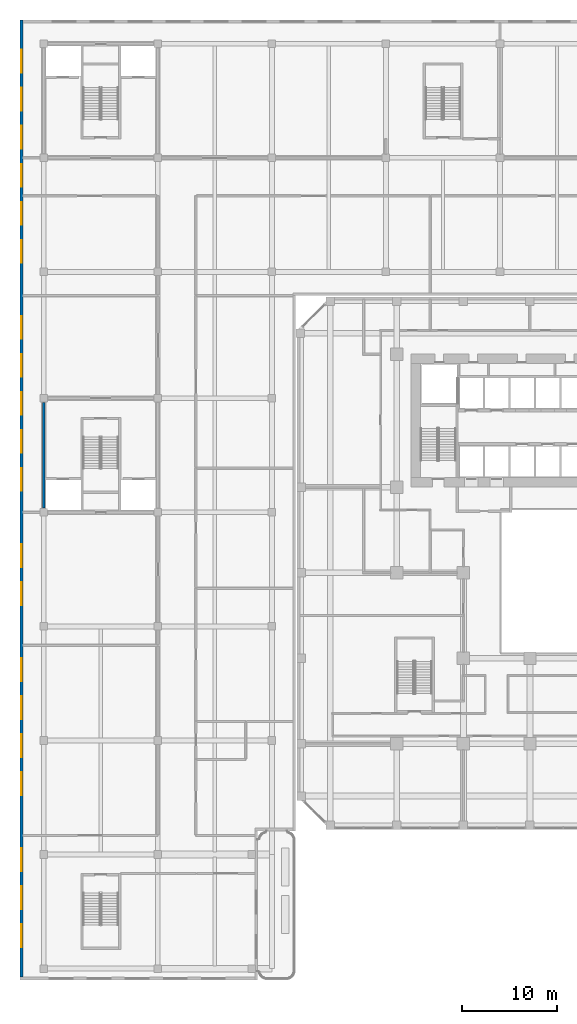
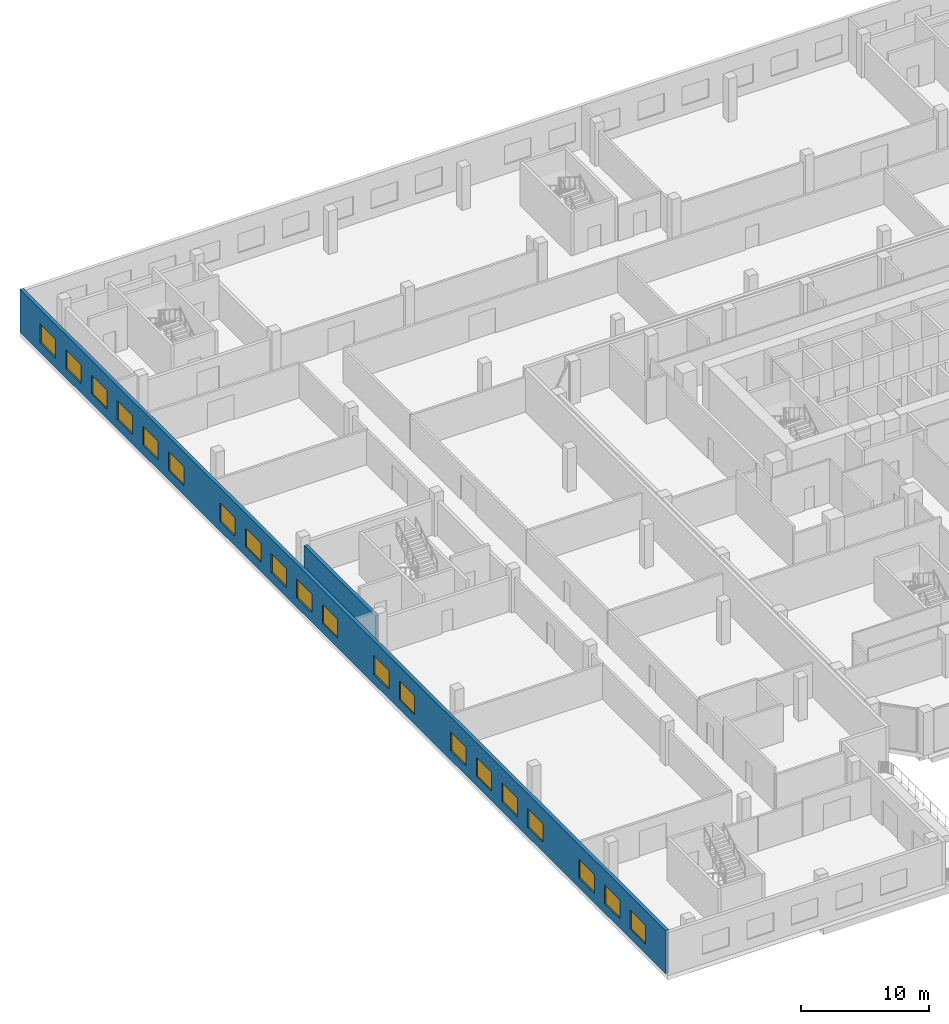
# One storey, part 16 of 35: 20 windows, 2 walls, 20 openings.
"""IFC4 building model written with IfcOpenShell, lengths in metres."""

from ifc_helpers import new_model, si_unit, direction, frame, frame_2d, origin, place, context, subcontext, project, spatial, rectangle, extrude, source, transform, mapped, material, layer, layer_set, type_object, element, fill, save


model = new_model("IFC4")

# Units and contexts
model_context = context("Model", 3, precision=1e-05, world=origin(), true_north=direction((0.0, 1.0)))
body_context = subcontext(model_context, "Body", "Model", "MODEL_VIEW")
ifc_project = project(units=[si_unit("LENGTHUNIT", "METRE"), si_unit("AREAUNIT", "SQUARE_METRE"), si_unit("VOLUMEUNIT", "CUBIC_METRE"), si_unit("PLANEANGLEUNIT", "RADIAN"), si_unit("MASSUNIT", "GRAM", prefix="KILO")], contexts=[model_context])

# Site, building, storey
site_placement = place(None, origin())
site = spatial("IfcSite", under=ifc_project, at=site_placement, CompositionType="ELEMENT")
building_placement = place(site_placement, origin())
building = spatial("IfcBuilding", under=site, at=building_placement, Name="Kilnfold Tower and Market Hall", CompositionType="ELEMENT")
storey_placement = place(building_placement, frame((0.0, 0.0, 13.5)))
storey = spatial("IfcBuildingStorey", under=building, at=storey_placement, Name="L02", CompositionType="ELEMENT", Elevation=13.5)

# Wall
ifc_material_1 = material(Name="Concrete C50/60", Category="concrete")
ifc_layer_1 = layer(ifc_material_1, 0.300048828125)
ifc_layer_set_1 = layer_set([ifc_layer_1], Name="Concrete C50/60")
wall_type_1 = type_object("IfcWallType", Name="HALL CORE WALL 300", PredefinedType="SHEAR", material=ifc_layer_set_1)
shared_shape_1 = source(origin(), body_context, "Body", "SweptSolid", [
    extrude(rectangle(XDim=11.099853515625, YDim=0.300048828125, at=frame_2d((5.5498046875, 0.0))), origin(), (0.0, 0.0, 1.0), 3.300048828125),
])
wall_1_placement = place(storey_placement, frame((-54.64990234375, 5.800048828125, 0.0), z_axis=(0.0, 0.0, 1.0), x_axis=(0.0, 1.0, 0.0)))
element("IfcWall", 1, at=wall_1_placement, inside=storey, type_object=wall_type_1, Name="Core wall MH1", PredefinedType="SHEAR", context=body_context, shape_type="MappedRepresentation", body=[
    mapped(shared_shape_1, transform((0.0, 0.0, 0.0))),
])

# Wall, openings, windows
ifc_material_2 = material(Name="Concrete blockwork", Category="masonry")
ifc_layer_2 = layer(ifc_material_2, 0.300048828125)
ifc_layer_set_2 = layer_set([ifc_layer_2], Name="Concrete blockwork")
wall_type_2 = type_object("IfcWallType", Name="HALL EXTERNAL WALL 300 EI 60", PredefinedType="SOLIDWALL", material=ifc_layer_set_2)
shared_shape_2 = source(origin(), body_context, "Body", "SweptSolid", [
    extrude(rectangle(XDim=100.699951171875, YDim=0.300048828125, at=frame_2d((50.35009765625, 0.0))), origin(), (0.0, 0.0, 1.0), 4.10009765625),
])
wall_2_placement = place(storey_placement, frame((-57.0, -43.550048828125, 0.0), z_axis=(0.0, 0.0, 1.0), x_axis=(0.0, 1.0, 0.0)))
wall_2 = element("IfcWall", 2, at=wall_2_placement, inside=storey, type_object=wall_type_2, Name="External wall MEW-L02.1", PredefinedType="SOLIDWALL", context=body_context, shape_type="MappedRepresentation", body=[
    mapped(shared_shape_2, transform((0.0, 0.0, 0.0))),
])
opening_1_placement = place(wall_2_placement, frame((3.14990234375, 0.0, 0.89990234375)))
opening_1 = element("IfcOpeningElement", 3, at=opening_1_placement, cuts=wall_2, Name="Opening MEN3", PredefinedType="OPENING", context=body_context, shape_type="SweptSolid", body=[
    extrude(rectangle(XDim=2.39990234375, YDim=1.800048828125, at=frame_2d((1.199951171875, 0.89990234375))), frame((0.0, 0.16015625, 0.0), z_axis=(0.0, -1.0, 0.0), x_axis=(1.0, 0.0, 0.0)), (0.0, 0.0, 1.0), 0.320068359375),
])
opening_2_placement = place(wall_2_placement, frame((7.14990234375, 0.0, 0.89990234375)))
opening_2 = element("IfcOpeningElement", 4, at=opening_2_placement, cuts=wall_2, Name="Opening MEN3", PredefinedType="OPENING", context=body_context, shape_type="SweptSolid", body=[
    extrude(rectangle(XDim=2.39990234375, YDim=1.800048828125, at=frame_2d((1.199951171875, 0.89990234375))), frame((0.0, 0.16015625, 0.0), z_axis=(0.0, -1.0, 0.0), x_axis=(1.0, 0.0, 0.0)), (0.0, 0.0, 1.0), 0.320068359375),
])
opening_3_placement = place(wall_2_placement, frame((11.14990234375, 0.0, 0.89990234375)))
opening_3 = element("IfcOpeningElement", 5, at=opening_3_placement, cuts=wall_2, Name="Opening MEN3", PredefinedType="OPENING", context=body_context, shape_type="SweptSolid", body=[
    extrude(rectangle(XDim=2.39990234375, YDim=1.800048828125, at=frame_2d((1.199951171875, 0.89990234375))), frame((0.0, 0.16015625, 0.0), z_axis=(0.0, -1.0, 0.0), x_axis=(1.0, 0.0, 0.0)), (0.0, 0.0, 1.0), 0.320068359375),
])
opening_4_placement = place(wall_2_placement, frame((19.14990234375, 0.0, 0.89990234375)))
opening_4 = element("IfcOpeningElement", 6, at=opening_4_placement, cuts=wall_2, Name="Opening MEN3", PredefinedType="OPENING", context=body_context, shape_type="SweptSolid", body=[
    extrude(rectangle(XDim=2.39990234375, YDim=1.800048828125, at=frame_2d((1.199951171875, 0.89990234375))), frame((0.0, 0.16015625, 0.0), z_axis=(0.0, -1.0, 0.0), x_axis=(1.0, 0.0, 0.0)), (0.0, 0.0, 1.0), 0.320068359375),
])
opening_5_placement = place(wall_2_placement, frame((23.14990234375, 0.0, 0.89990234375)))
opening_5 = element("IfcOpeningElement", 7, at=opening_5_placement, cuts=wall_2, Name="Opening MEN3", PredefinedType="OPENING", context=body_context, shape_type="SweptSolid", body=[
    extrude(rectangle(XDim=2.39990234375, YDim=1.800048828125, at=frame_2d((1.199951171875, 0.89990234375))), frame((0.0, 0.16015625, 0.0), z_axis=(0.0, -1.0, 0.0), x_axis=(1.0, 0.0, 0.0)), (0.0, 0.0, 1.0), 0.320068359375),
])
opening_6_placement = place(wall_2_placement, frame((27.14990234375, 0.0, 0.89990234375)))
opening_6 = element("IfcOpeningElement", 8, at=opening_6_placement, cuts=wall_2, Name="Opening MEN3", PredefinedType="OPENING", context=body_context, shape_type="SweptSolid", body=[
    extrude(rectangle(XDim=2.39990234375, YDim=1.800048828125, at=frame_2d((1.199951171875, 0.89990234375))), frame((0.0, 0.16015625, 0.0), z_axis=(0.0, -1.0, 0.0), x_axis=(1.0, 0.0, 0.0)), (0.0, 0.0, 1.0), 0.320068359375),
])
opening_7_placement = place(wall_2_placement, frame((31.14990234375, 0.0, 0.89990234375)))
opening_7 = element("IfcOpeningElement", 9, at=opening_7_placement, cuts=wall_2, Name="Opening MEN3", PredefinedType="OPENING", context=body_context, shape_type="SweptSolid", body=[
    extrude(rectangle(XDim=2.39990234375, YDim=1.800048828125, at=frame_2d((1.199951171875, 0.89990234375))), frame((0.0, 0.16015625, 0.0), z_axis=(0.0, -1.0, 0.0), x_axis=(1.0, 0.0, 0.0)), (0.0, 0.0, 1.0), 0.320068359375),
])
opening_8_placement = place(wall_2_placement, frame((39.14990234375, 0.0, 0.89990234375)))
opening_8 = element("IfcOpeningElement", 10, at=opening_8_placement, cuts=wall_2, Name="Opening MEN3", PredefinedType="OPENING", context=body_context, shape_type="SweptSolid", body=[
    extrude(rectangle(XDim=2.39990234375, YDim=1.800048828125, at=frame_2d((1.199951171875, 0.89990234375))), frame((0.0, 0.16015625, 0.0), z_axis=(0.0, -1.0, 0.0), x_axis=(1.0, 0.0, 0.0)), (0.0, 0.0, 1.0), 0.320068359375),
])
opening_9_placement = place(wall_2_placement, frame((43.14990234375, 0.0, 0.89990234375)))
opening_9 = element("IfcOpeningElement", 11, at=opening_9_placement, cuts=wall_2, Name="Opening MEN3", PredefinedType="OPENING", context=body_context, shape_type="SweptSolid", body=[
    extrude(rectangle(XDim=2.39990234375, YDim=1.800048828125, at=frame_2d((1.199951171875, 0.89990234375))), frame((0.0, 0.16015625, 0.0), z_axis=(0.0, -1.0, 0.0), x_axis=(1.0, 0.0, 0.0)), (0.0, 0.0, 1.0), 0.320068359375),
])
opening_10_placement = place(wall_2_placement, frame((51.14990234375, 0.0, 0.89990234375)))
opening_10 = element("IfcOpeningElement", 12, at=opening_10_placement, cuts=wall_2, Name="Opening MEN3", PredefinedType="OPENING", context=body_context, shape_type="SweptSolid", body=[
    extrude(rectangle(XDim=2.39990234375, YDim=1.800048828125, at=frame_2d((1.199951171875, 0.89990234375))), frame((0.0, 0.16015625, 0.0), z_axis=(0.0, -1.0, 0.0), x_axis=(1.0, 0.0, 0.0)), (0.0, 0.0, 1.0), 0.320068359375),
])
opening_11_placement = place(wall_2_placement, frame((55.14990234375, 0.0, 0.89990234375)))
opening_11 = element("IfcOpeningElement", 13, at=opening_11_placement, cuts=wall_2, Name="Opening MEN3", PredefinedType="OPENING", context=body_context, shape_type="SweptSolid", body=[
    extrude(rectangle(XDim=2.39990234375, YDim=1.800048828125, at=frame_2d((1.199951171875, 0.89990234375))), frame((0.0, 0.16015625, 0.0), z_axis=(0.0, -1.0, 0.0), x_axis=(1.0, 0.0, 0.0)), (0.0, 0.0, 1.0), 0.320068359375),
])
opening_12_placement = place(wall_2_placement, frame((59.14990234375, 0.0, 0.89990234375)))
opening_12 = element("IfcOpeningElement", 14, at=opening_12_placement, cuts=wall_2, Name="Opening MEN3", PredefinedType="OPENING", context=body_context, shape_type="SweptSolid", body=[
    extrude(rectangle(XDim=2.39990234375, YDim=1.800048828125, at=frame_2d((1.199951171875, 0.89990234375))), frame((0.0, 0.16015625, 0.0), z_axis=(0.0, -1.0, 0.0), x_axis=(1.0, 0.0, 0.0)), (0.0, 0.0, 1.0), 0.320068359375),
])
opening_13_placement = place(wall_2_placement, frame((63.14990234375, 0.0, 0.89990234375)))
opening_13 = element("IfcOpeningElement", 15, at=opening_13_placement, cuts=wall_2, Name="Opening MEN3", PredefinedType="OPENING", context=body_context, shape_type="SweptSolid", body=[
    extrude(rectangle(XDim=2.39990234375, YDim=1.800048828125, at=frame_2d((1.199951171875, 0.89990234375))), frame((0.0, 0.16015625, 0.0), z_axis=(0.0, -1.0, 0.0), x_axis=(1.0, 0.0, 0.0)), (0.0, 0.0, 1.0), 0.320068359375),
])
opening_14_placement = place(wall_2_placement, frame((67.14990234375, 0.0, 0.89990234375)))
opening_14 = element("IfcOpeningElement", 16, at=opening_14_placement, cuts=wall_2, Name="Opening MEN3", PredefinedType="OPENING", context=body_context, shape_type="SweptSolid", body=[
    extrude(rectangle(XDim=2.39990234375, YDim=1.800048828125, at=frame_2d((1.199951171875, 0.89990234375))), frame((0.0, 0.16015625, 0.0), z_axis=(0.0, -1.0, 0.0), x_axis=(1.0, 0.0, 0.0)), (0.0, 0.0, 1.0), 0.320068359375),
])
opening_15_placement = place(wall_2_placement, frame((75.14990234375, 0.0, 0.89990234375)))
opening_15 = element("IfcOpeningElement", 17, at=opening_15_placement, cuts=wall_2, Name="Opening MEN3", PredefinedType="OPENING", context=body_context, shape_type="SweptSolid", body=[
    extrude(rectangle(XDim=2.39990234375, YDim=1.800048828125, at=frame_2d((1.199951171875, 0.89990234375))), frame((0.0, 0.16015625, 0.0), z_axis=(0.0, -1.0, 0.0), x_axis=(1.0, 0.0, 0.0)), (0.0, 0.0, 1.0), 0.320068359375),
])
opening_16_placement = place(wall_2_placement, frame((79.14990234375, 0.0, 0.89990234375)))
opening_16 = element("IfcOpeningElement", 18, at=opening_16_placement, cuts=wall_2, Name="Opening MEN3", PredefinedType="OPENING", context=body_context, shape_type="SweptSolid", body=[
    extrude(rectangle(XDim=2.39990234375, YDim=1.800048828125, at=frame_2d((1.199951171875, 0.89990234375))), frame((0.0, 0.16015625, 0.0), z_axis=(0.0, -1.0, 0.0), x_axis=(1.0, 0.0, 0.0)), (0.0, 0.0, 1.0), 0.320068359375),
])
opening_17_placement = place(wall_2_placement, frame((83.14990234375, 0.0, 0.89990234375)))
opening_17 = element("IfcOpeningElement", 19, at=opening_17_placement, cuts=wall_2, Name="Opening MEN3", PredefinedType="OPENING", context=body_context, shape_type="SweptSolid", body=[
    extrude(rectangle(XDim=2.39990234375, YDim=1.800048828125, at=frame_2d((1.199951171875, 0.89990234375))), frame((0.0, 0.16015625, 0.0), z_axis=(0.0, -1.0, 0.0), x_axis=(1.0, 0.0, 0.0)), (0.0, 0.0, 1.0), 0.320068359375),
])
opening_18_placement = place(wall_2_placement, frame((87.14990234375, 0.0, 0.89990234375)))
opening_18 = element("IfcOpeningElement", 20, at=opening_18_placement, cuts=wall_2, Name="Opening MEN3", PredefinedType="OPENING", context=body_context, shape_type="SweptSolid", body=[
    extrude(rectangle(XDim=2.39990234375, YDim=1.800048828125, at=frame_2d((1.199951171875, 0.89990234375))), frame((0.0, 0.16015625, 0.0), z_axis=(0.0, -1.0, 0.0), x_axis=(1.0, 0.0, 0.0)), (0.0, 0.0, 1.0), 0.320068359375),
])
opening_19_placement = place(wall_2_placement, frame((91.14990234375, 0.0, 0.89990234375)))
opening_19 = element("IfcOpeningElement", 21, at=opening_19_placement, cuts=wall_2, Name="Opening MEN3", PredefinedType="OPENING", context=body_context, shape_type="SweptSolid", body=[
    extrude(rectangle(XDim=2.39990234375, YDim=1.800048828125, at=frame_2d((1.199951171875, 0.89990234375))), frame((0.0, 0.16015625, 0.0), z_axis=(0.0, -1.0, 0.0), x_axis=(1.0, 0.0, 0.0)), (0.0, 0.0, 1.0), 0.320068359375),
])
opening_20_placement = place(wall_2_placement, frame((95.14990234375, 0.0, 0.89990234375)))
opening_20 = element("IfcOpeningElement", 22, at=opening_20_placement, cuts=wall_2, Name="Opening MEN3", PredefinedType="OPENING", context=body_context, shape_type="SweptSolid", body=[
    extrude(rectangle(XDim=2.39990234375, YDim=1.800048828125, at=frame_2d((1.199951171875, 0.89990234375))), frame((0.0, 0.16015625, 0.0), z_axis=(0.0, -1.0, 0.0), x_axis=(1.0, 0.0, 0.0)), (0.0, 0.0, 1.0), 0.320068359375),
])
ifc_material_3 = material(Name="Aluminium glazing", Category="aluminium")
window_type = type_object("IfcWindowType", Name="HALL WINDOW 2400X1800", PartitioningType="SINGLE_PANEL", PredefinedType="WINDOW", material=ifc_material_3)
window_1_placement = place(opening_1_placement, origin())
window_1 = element("IfcWindow", 23, at=window_1_placement, inside=storey, type_object=window_type, Name="Window upper", OverallHeight=1.800048828125, OverallWidth=2.39990234375, PartitioningType="SINGLE_PANEL", PredefinedType="WINDOW", context=body_context, shape_type="SweptSolid", body=[
    extrude(rectangle(XDim=2.39990234375, YDim=1.800048828125, at=frame_2d((1.199951171875, 0.89990234375))), frame((0.0, 0.030029296875, 0.0), z_axis=(0.0, -1.0, 0.0), x_axis=(1.0, 0.0, 0.0)), (0.0, 0.0, 1.0), 0.06005859375),
])
fill(opening_1, window_1)
window_2_placement = place(opening_2_placement, origin())
window_2 = element("IfcWindow", 24, at=window_2_placement, inside=storey, type_object=window_type, Name="Window upper", OverallHeight=1.800048828125, OverallWidth=2.39990234375, PartitioningType="SINGLE_PANEL", PredefinedType="WINDOW", context=body_context, shape_type="SweptSolid", body=[
    extrude(rectangle(XDim=2.39990234375, YDim=1.800048828125, at=frame_2d((1.199951171875, 0.89990234375))), frame((0.0, 0.030029296875, 0.0), z_axis=(0.0, -1.0, 0.0), x_axis=(1.0, 0.0, 0.0)), (0.0, 0.0, 1.0), 0.06005859375),
])
fill(opening_2, window_2)
window_3_placement = place(opening_3_placement, origin())
window_3 = element("IfcWindow", 25, at=window_3_placement, inside=storey, type_object=window_type, Name="Window upper", OverallHeight=1.800048828125, OverallWidth=2.39990234375, PartitioningType="SINGLE_PANEL", PredefinedType="WINDOW", context=body_context, shape_type="SweptSolid", body=[
    extrude(rectangle(XDim=2.39990234375, YDim=1.800048828125, at=frame_2d((1.199951171875, 0.89990234375))), frame((0.0, 0.030029296875, 0.0), z_axis=(0.0, -1.0, 0.0), x_axis=(1.0, 0.0, 0.0)), (0.0, 0.0, 1.0), 0.06005859375),
])
fill(opening_3, window_3)
window_4_placement = place(opening_4_placement, origin())
window_4 = element("IfcWindow", 26, at=window_4_placement, inside=storey, type_object=window_type, Name="Window upper", OverallHeight=1.800048828125, OverallWidth=2.39990234375, PartitioningType="SINGLE_PANEL", PredefinedType="WINDOW", context=body_context, shape_type="SweptSolid", body=[
    extrude(rectangle(XDim=2.39990234375, YDim=1.800048828125, at=frame_2d((1.199951171875, 0.89990234375))), frame((0.0, 0.030029296875, 0.0), z_axis=(0.0, -1.0, 0.0), x_axis=(1.0, 0.0, 0.0)), (0.0, 0.0, 1.0), 0.06005859375),
])
fill(opening_4, window_4)
window_5_placement = place(opening_5_placement, origin())
window_5 = element("IfcWindow", 27, at=window_5_placement, inside=storey, type_object=window_type, Name="Window upper", OverallHeight=1.800048828125, OverallWidth=2.39990234375, PartitioningType="SINGLE_PANEL", PredefinedType="WINDOW", context=body_context, shape_type="SweptSolid", body=[
    extrude(rectangle(XDim=2.39990234375, YDim=1.800048828125, at=frame_2d((1.199951171875, 0.89990234375))), frame((0.0, 0.030029296875, 0.0), z_axis=(0.0, -1.0, 0.0), x_axis=(1.0, 0.0, 0.0)), (0.0, 0.0, 1.0), 0.06005859375),
])
fill(opening_5, window_5)
window_6_placement = place(opening_6_placement, origin())
window_6 = element("IfcWindow", 28, at=window_6_placement, inside=storey, type_object=window_type, Name="Window upper", OverallHeight=1.800048828125, OverallWidth=2.39990234375, PartitioningType="SINGLE_PANEL", PredefinedType="WINDOW", context=body_context, shape_type="SweptSolid", body=[
    extrude(rectangle(XDim=2.39990234375, YDim=1.800048828125, at=frame_2d((1.199951171875, 0.89990234375))), frame((0.0, 0.030029296875, 0.0), z_axis=(0.0, -1.0, 0.0), x_axis=(1.0, 0.0, 0.0)), (0.0, 0.0, 1.0), 0.06005859375),
])
fill(opening_6, window_6)
window_7_placement = place(opening_7_placement, origin())
window_7 = element("IfcWindow", 29, at=window_7_placement, inside=storey, type_object=window_type, Name="Window upper", OverallHeight=1.800048828125, OverallWidth=2.39990234375, PartitioningType="SINGLE_PANEL", PredefinedType="WINDOW", context=body_context, shape_type="SweptSolid", body=[
    extrude(rectangle(XDim=2.39990234375, YDim=1.800048828125, at=frame_2d((1.199951171875, 0.89990234375))), frame((0.0, 0.030029296875, 0.0), z_axis=(0.0, -1.0, 0.0), x_axis=(1.0, 0.0, 0.0)), (0.0, 0.0, 1.0), 0.06005859375),
])
fill(opening_7, window_7)
window_8_placement = place(opening_8_placement, origin())
window_8 = element("IfcWindow", 30, at=window_8_placement, inside=storey, type_object=window_type, Name="Window upper", OverallHeight=1.800048828125, OverallWidth=2.39990234375, PartitioningType="SINGLE_PANEL", PredefinedType="WINDOW", context=body_context, shape_type="SweptSolid", body=[
    extrude(rectangle(XDim=2.39990234375, YDim=1.800048828125, at=frame_2d((1.199951171875, 0.89990234375))), frame((0.0, 0.030029296875, 0.0), z_axis=(0.0, -1.0, 0.0), x_axis=(1.0, 0.0, 0.0)), (0.0, 0.0, 1.0), 0.06005859375),
])
fill(opening_8, window_8)
window_9_placement = place(opening_9_placement, origin())
window_9 = element("IfcWindow", 31, at=window_9_placement, inside=storey, type_object=window_type, Name="Window upper", OverallHeight=1.800048828125, OverallWidth=2.39990234375, PartitioningType="SINGLE_PANEL", PredefinedType="WINDOW", context=body_context, shape_type="SweptSolid", body=[
    extrude(rectangle(XDim=2.39990234375, YDim=1.800048828125, at=frame_2d((1.199951171875, 0.89990234375))), frame((0.0, 0.030029296875, 0.0), z_axis=(0.0, -1.0, 0.0), x_axis=(1.0, 0.0, 0.0)), (0.0, 0.0, 1.0), 0.06005859375),
])
fill(opening_9, window_9)
window_10_placement = place(opening_10_placement, origin())
window_10 = element("IfcWindow", 32, at=window_10_placement, inside=storey, type_object=window_type, Name="Window upper", OverallHeight=1.800048828125, OverallWidth=2.39990234375, PartitioningType="SINGLE_PANEL", PredefinedType="WINDOW", context=body_context, shape_type="SweptSolid", body=[
    extrude(rectangle(XDim=2.39990234375, YDim=1.800048828125, at=frame_2d((1.199951171875, 0.89990234375))), frame((0.0, 0.030029296875, 0.0), z_axis=(0.0, -1.0, 0.0), x_axis=(1.0, 0.0, 0.0)), (0.0, 0.0, 1.0), 0.06005859375),
])
fill(opening_10, window_10)
window_11_placement = place(opening_11_placement, origin())
window_11 = element("IfcWindow", 33, at=window_11_placement, inside=storey, type_object=window_type, Name="Window upper", OverallHeight=1.800048828125, OverallWidth=2.39990234375, PartitioningType="SINGLE_PANEL", PredefinedType="WINDOW", context=body_context, shape_type="SweptSolid", body=[
    extrude(rectangle(XDim=2.39990234375, YDim=1.800048828125, at=frame_2d((1.199951171875, 0.89990234375))), frame((0.0, 0.030029296875, 0.0), z_axis=(0.0, -1.0, 0.0), x_axis=(1.0, 0.0, 0.0)), (0.0, 0.0, 1.0), 0.06005859375),
])
fill(opening_11, window_11)
window_12_placement = place(opening_12_placement, origin())
window_12 = element("IfcWindow", 34, at=window_12_placement, inside=storey, type_object=window_type, Name="Window upper", OverallHeight=1.800048828125, OverallWidth=2.39990234375, PartitioningType="SINGLE_PANEL", PredefinedType="WINDOW", context=body_context, shape_type="SweptSolid", body=[
    extrude(rectangle(XDim=2.39990234375, YDim=1.800048828125, at=frame_2d((1.199951171875, 0.89990234375))), frame((0.0, 0.030029296875, 0.0), z_axis=(0.0, -1.0, 0.0), x_axis=(1.0, 0.0, 0.0)), (0.0, 0.0, 1.0), 0.06005859375),
])
fill(opening_12, window_12)
window_13_placement = place(opening_13_placement, origin())
window_13 = element("IfcWindow", 35, at=window_13_placement, inside=storey, type_object=window_type, Name="Window upper", OverallHeight=1.800048828125, OverallWidth=2.39990234375, PartitioningType="SINGLE_PANEL", PredefinedType="WINDOW", context=body_context, shape_type="SweptSolid", body=[
    extrude(rectangle(XDim=2.39990234375, YDim=1.800048828125, at=frame_2d((1.199951171875, 0.89990234375))), frame((0.0, 0.030029296875, 0.0), z_axis=(0.0, -1.0, 0.0), x_axis=(1.0, 0.0, 0.0)), (0.0, 0.0, 1.0), 0.06005859375),
])
fill(opening_13, window_13)
window_14_placement = place(opening_14_placement, origin())
window_14 = element("IfcWindow", 36, at=window_14_placement, inside=storey, type_object=window_type, Name="Window upper", OverallHeight=1.800048828125, OverallWidth=2.39990234375, PartitioningType="SINGLE_PANEL", PredefinedType="WINDOW", context=body_context, shape_type="SweptSolid", body=[
    extrude(rectangle(XDim=2.39990234375, YDim=1.800048828125, at=frame_2d((1.199951171875, 0.89990234375))), frame((0.0, 0.030029296875, 0.0), z_axis=(0.0, -1.0, 0.0), x_axis=(1.0, 0.0, 0.0)), (0.0, 0.0, 1.0), 0.06005859375),
])
fill(opening_14, window_14)
window_15_placement = place(opening_15_placement, origin())
window_15 = element("IfcWindow", 37, at=window_15_placement, inside=storey, type_object=window_type, Name="Window upper", OverallHeight=1.800048828125, OverallWidth=2.39990234375, PartitioningType="SINGLE_PANEL", PredefinedType="WINDOW", context=body_context, shape_type="SweptSolid", body=[
    extrude(rectangle(XDim=2.39990234375, YDim=1.800048828125, at=frame_2d((1.199951171875, 0.89990234375))), frame((0.0, 0.030029296875, 0.0), z_axis=(0.0, -1.0, 0.0), x_axis=(1.0, 0.0, 0.0)), (0.0, 0.0, 1.0), 0.06005859375),
])
fill(opening_15, window_15)
window_16_placement = place(opening_16_placement, origin())
window_16 = element("IfcWindow", 38, at=window_16_placement, inside=storey, type_object=window_type, Name="Window upper", OverallHeight=1.800048828125, OverallWidth=2.39990234375, PartitioningType="SINGLE_PANEL", PredefinedType="WINDOW", context=body_context, shape_type="SweptSolid", body=[
    extrude(rectangle(XDim=2.39990234375, YDim=1.800048828125, at=frame_2d((1.199951171875, 0.89990234375))), frame((0.0, 0.030029296875, 0.0), z_axis=(0.0, -1.0, 0.0), x_axis=(1.0, 0.0, 0.0)), (0.0, 0.0, 1.0), 0.06005859375),
])
fill(opening_16, window_16)
window_17_placement = place(opening_17_placement, origin())
window_17 = element("IfcWindow", 39, at=window_17_placement, inside=storey, type_object=window_type, Name="Window upper", OverallHeight=1.800048828125, OverallWidth=2.39990234375, PartitioningType="SINGLE_PANEL", PredefinedType="WINDOW", context=body_context, shape_type="SweptSolid", body=[
    extrude(rectangle(XDim=2.39990234375, YDim=1.800048828125, at=frame_2d((1.199951171875, 0.89990234375))), frame((0.0, 0.030029296875, 0.0), z_axis=(0.0, -1.0, 0.0), x_axis=(1.0, 0.0, 0.0)), (0.0, 0.0, 1.0), 0.06005859375),
])
fill(opening_17, window_17)
window_18_placement = place(opening_18_placement, origin())
window_18 = element("IfcWindow", 40, at=window_18_placement, inside=storey, type_object=window_type, Name="Window upper", OverallHeight=1.800048828125, OverallWidth=2.39990234375, PartitioningType="SINGLE_PANEL", PredefinedType="WINDOW", context=body_context, shape_type="SweptSolid", body=[
    extrude(rectangle(XDim=2.39990234375, YDim=1.800048828125, at=frame_2d((1.199951171875, 0.89990234375))), frame((0.0, 0.030029296875, 0.0), z_axis=(0.0, -1.0, 0.0), x_axis=(1.0, 0.0, 0.0)), (0.0, 0.0, 1.0), 0.06005859375),
])
fill(opening_18, window_18)
window_19_placement = place(opening_19_placement, origin())
window_19 = element("IfcWindow", 41, at=window_19_placement, inside=storey, type_object=window_type, Name="Window upper", OverallHeight=1.800048828125, OverallWidth=2.39990234375, PartitioningType="SINGLE_PANEL", PredefinedType="WINDOW", context=body_context, shape_type="SweptSolid", body=[
    extrude(rectangle(XDim=2.39990234375, YDim=1.800048828125, at=frame_2d((1.199951171875, 0.89990234375))), frame((0.0, 0.030029296875, 0.0), z_axis=(0.0, -1.0, 0.0), x_axis=(1.0, 0.0, 0.0)), (0.0, 0.0, 1.0), 0.06005859375),
])
fill(opening_19, window_19)
window_20_placement = place(opening_20_placement, origin())
window_20 = element("IfcWindow", 42, at=window_20_placement, inside=storey, type_object=window_type, Name="Window upper", OverallHeight=1.800048828125, OverallWidth=2.39990234375, PartitioningType="SINGLE_PANEL", PredefinedType="WINDOW", context=body_context, shape_type="SweptSolid", body=[
    extrude(rectangle(XDim=2.39990234375, YDim=1.800048828125, at=frame_2d((1.199951171875, 0.89990234375))), frame((0.0, 0.030029296875, 0.0), z_axis=(0.0, -1.0, 0.0), x_axis=(1.0, 0.0, 0.0)), (0.0, 0.0, 1.0), 0.06005859375),
])
fill(opening_20, window_20)

save(model, "model.ifc")
